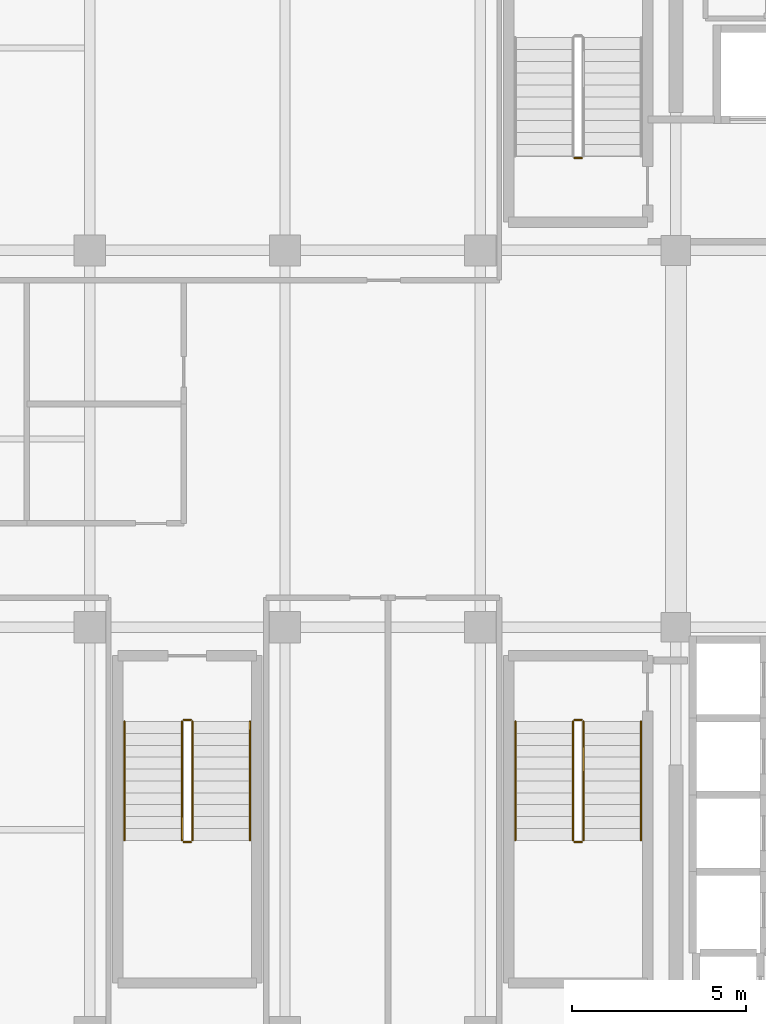
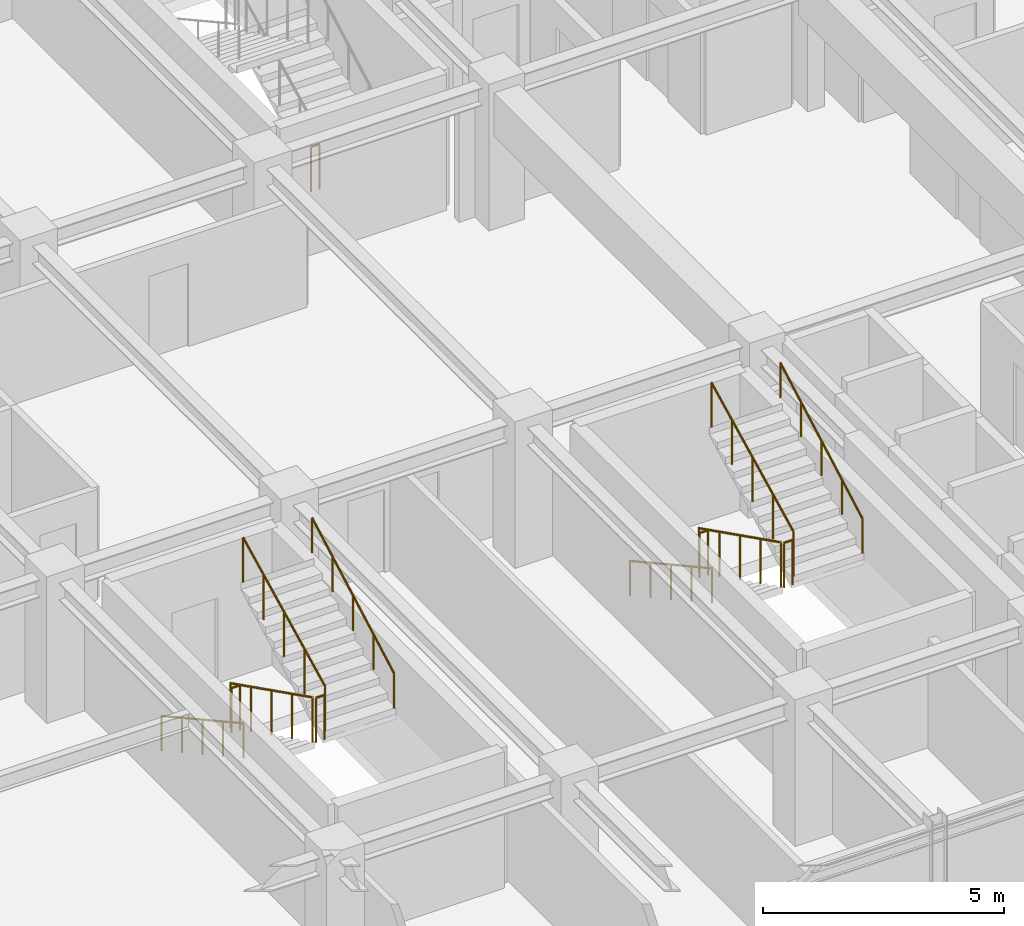
# One storey, part 28 of 31: 13 railings.
"""IFC4 building model written with IfcOpenShell, lengths in metres."""

import ifcopenshell
import ifcopenshell.guid

model = None  # the IFC model being written
_history = None  # IfcOwnerHistory: only IFC2X3 demands one
_inside = {}  # id of a spatial element -> (the spatial element, [elements in it])
_under = {}  # id of a project, library or spatial element -> (it, [spatial elements below it])
_declared = {}  # id of a project -> (the project, [libraries it declares])
_typed = {}  # id of a type object -> (the type object, [elements of that type])
_made_of = {}  # id of a material, layer set ... -> (it, [elements and type objects made of it])


def new_model(schema):
    """Start an empty IFC model of exactly this schema.

    Asked for "IFC4X3", IfcOpenShell would pick the latest addendum, in which some entities
    have other attributes; the version numbers below select the first issue.
    IFC2X3 requires an IfcOwnerHistory on every rooted entity: one is made here for all.
    """
    global model, _history
    if schema == "IFC4X3":
        model = ifcopenshell.file(schema_version=(4, 3, 0, 0))
    else:
        model = ifcopenshell.file(schema=schema)
    _inside.clear()
    _under.clear()
    _declared.clear()
    _typed.clear()
    _made_of.clear()
    _history = None
    if model.schema == "IFC2X3":
        org = make("IfcOrganization", Name="unknown")
        user = make(
            "IfcPersonAndOrganization",
            ThePerson=make("IfcPerson", FamilyName="unknown"),
            TheOrganization=org,
        )
        app = make(
            "IfcApplication",
            ApplicationDeveloper=org,
            Version="unknown",
            ApplicationFullName="unknown",
            ApplicationIdentifier="unknown",
        )
        _history = make(
            "IfcOwnerHistory",
            OwningUser=user,
            OwningApplication=app,
            ChangeAction="ADDED",
            CreationDate=0,
        )
    return model


def make(cls, **values):
    """One entity of the class cls with the attributes given. An attribute that is None is left unset."""
    return model.create_entity(
        cls, **{name: value for name, value in values.items() if value is not None}
    )


def rooted(cls, **values):
    """An entity with a GlobalId (a new one), such as an element, a storey or a relation."""
    return make(cls, GlobalId=ifcopenshell.guid.new(), OwnerHistory=_history, **values)


def si_unit(unit_type, name, prefix=None):
    """IfcSIUnit, for example si_unit("LENGTHUNIT", "METRE", prefix="MILLI")."""
    return make("IfcSIUnit", UnitType=unit_type, Prefix=prefix, Name=name)


def assignment(units):
    """IfcUnitAssignment: the units of a project."""
    return None if units is None else make("IfcUnitAssignment", Units=units)


def point(xyz):
    """IfcCartesianPoint."""
    return None if xyz is None else make("IfcCartesianPoint", Coordinates=xyz)


def direction(xyz):
    """IfcDirection."""
    return None if xyz is None else make("IfcDirection", DirectionRatios=xyz)


def frame(location, z_axis=None, x_axis=None):
    """IfcAxis2Placement3D, a coordinate frame: its origin and axes. An axis left out is left unset."""
    return make(
        "IfcAxis2Placement3D",
        Location=point(location),
        Axis=direction(z_axis),
        RefDirection=direction(x_axis),
    )


def frame_2d(location, x_axis=None):
    """IfcAxis2Placement2D, a coordinate frame in the plane: its origin and x axis."""
    return make(
        "IfcAxis2Placement2D", Location=point(location), RefDirection=direction(x_axis)
    )


def origin():
    """The frame at (0, 0, 0) with its axes left unset."""
    return frame((0.0, 0.0, 0.0))


def origin_2d():
    """The frame at (0, 0) in the plane with its x axis left unset."""
    return frame_2d((0.0, 0.0))


def place(relative_to, where):
    """IfcLocalPlacement: puts the frame where relative to a parent placement (None: the world)."""
    return make(
        "IfcLocalPlacement", PlacementRelTo=relative_to, RelativePlacement=where
    )


def context(
    kind, dimensions, precision=None, world=None, true_north=None, identifier=None
):
    """IfcGeometricRepresentationContext, for example the 3D "Model" context."""
    return make(
        "IfcGeometricRepresentationContext",
        ContextIdentifier=identifier,
        ContextType=kind,
        CoordinateSpaceDimension=dimensions,
        Precision=precision,
        WorldCoordinateSystem=world,
        TrueNorth=true_north,
    )


def subcontext(parent, identifier, kind, view, scale=None):
    """IfcGeometricRepresentationSubContext, for example "Body" below "Model"."""
    return make(
        "IfcGeometricRepresentationSubContext",
        ContextIdentifier=identifier,
        ContextType=kind,
        ParentContext=parent,
        TargetScale=scale,
        TargetView=view,
    )


def project(units=None, contexts=None):
    """IfcProject with its units and contexts."""
    return rooted(
        "IfcProject",
        Name="project",
        RepresentationContexts=contexts,
        UnitsInContext=assignment(units),
    )


def spatial(cls, under=None, at=None, **own):
    """A site, building, storey or space (cls), placed at a placement, below another one or the project."""
    s = rooted(cls, ObjectPlacement=at, **own)
    if under is not None:
        _under.setdefault(under.id(), (under, []))[1].append(s)
    return s


def profile(cls, at=None, kind="AREA", **sizes):
    """A parametric profile (cls). Its sizes go by their IFC names, for example OverallWidth=200.0."""
    return make(cls, ProfileType=kind, Position=at, **sizes)


def circle(**sizes):
    """IfcCircleProfileDef."""
    return profile("IfcCircleProfileDef", **sizes)


def extrude(swept, where, along, depth):
    """IfcExtrudedAreaSolid: the profile swept, set in the frame where, extruded along a direction by depth."""
    return make(
        "IfcExtrudedAreaSolid",
        SweptArea=swept,
        Position=where,
        ExtrudedDirection=direction(along),
        Depth=depth,
    )


def shape(context_of_items, identifier, shape_type, items):
    """IfcShapeRepresentation: the items that make up one representation, for example the "Body"."""
    return make(
        "IfcShapeRepresentation",
        ContextOfItems=context_of_items,
        RepresentationIdentifier=identifier,
        RepresentationType=shape_type,
        Items=items,
    )


def material(Name=None, Category=None):
    """IfcMaterial."""
    return make("IfcMaterial", Name=Name, Category=Category)


def made_of(thing, what):
    """Note that an element or type object is made of a material, layer set ...; save() writes the relation."""
    if what is not None:
        _made_of.setdefault(what.id(), (what, []))[1].append(thing)
    return thing


def type_object(cls, material=None, **own):
    """A type object (cls), such as IfcWallType, which elements share."""
    return made_of(rooted(cls, **own), material)


def element(
    cls,
    number,
    at=None,
    inside=None,
    cuts=None,
    type_object=None,
    material=None,
    context=None,
    identifier="Body",
    shape_type=None,
    held_by="IfcProductDefinitionShape",
    body=None,
    shapes=None,
    **own,
):
    """One element of the class cls, such as IfcWall. Its Tag is "e" and its number.

    at: its placement. inside: the storey or other place that contains it. cuts: it is an
    opening in that element (IfcRelVoidsElement). A single representation is given by context,
    identifier, shape_type and body (its items); several are given by shapes. held_by: the class
    of the entity that holds the representations. save() writes the other relations.
    """
    e = rooted(cls, Tag="e%d" % number, ObjectPlacement=at, **own)
    if body is not None:
        shapes = [shape(context, identifier, shape_type, body)]
    if shapes is not None:
        e.Representation = make(held_by, Representations=shapes)
    if inside is not None:
        _inside.setdefault(inside.id(), (inside, []))[1].append(e)
    if cuts is not None:
        rooted(
            "IfcRelVoidsElement", RelatingBuildingElement=cuts, RelatedOpeningElement=e
        )
    if type_object is not None:
        _typed.setdefault(type_object.id(), (type_object, []))[1].append(e)
    return made_of(e, material)


def aggregate(whole, parts):
    """IfcRelAggregates: a whole, such as a stair, and the parts it consists of."""
    return rooted("IfcRelAggregates", RelatingObject=whole, RelatedObjects=parts)


def save(model, path):
    """Write the relations noted so far, then the file.

    IfcRelAggregates (storeys below a building ...), IfcRelContainedInSpatialStructure (elements
    in a storey), IfcRelDefinesByType, IfcRelAssociatesMaterial and IfcRelDeclares: one each for
    every whole, place, type object, material and project.
    """
    for whole, parts in _under.values():
        aggregate(whole, parts)
    for where, things in _inside.values():
        rooted(
            "IfcRelContainedInSpatialStructure",
            RelatedElements=things,
            RelatingStructure=where,
        )
    for kind, things in _typed.values():
        rooted("IfcRelDefinesByType", RelatedObjects=things, RelatingType=kind)
    for what, things in _made_of.values():
        rooted("IfcRelAssociatesMaterial", RelatedObjects=things, RelatingMaterial=what)
    for by, libraries in _declared.values():
        rooted("IfcRelDeclares", RelatingContext=by, RelatedDefinitions=libraries)
    model.write(path)


model = new_model("IFC4")

# Units and contexts
model_context = context("Model", 3, precision=1e-05, world=origin(), true_north=direction((0.0, 1.0)))
body_context = subcontext(model_context, "Body", "Model", "MODEL_VIEW")
ifc_project = project(units=[si_unit("LENGTHUNIT", "METRE"), si_unit("AREAUNIT", "SQUARE_METRE"), si_unit("VOLUMEUNIT", "CUBIC_METRE"), si_unit("PLANEANGLEUNIT", "RADIAN"), si_unit("MASSUNIT", "GRAM", prefix="KILO")], contexts=[model_context])

# Site, building, storey
site_placement = place(None, origin())
site = spatial("IfcSite", under=ifc_project, at=site_placement, CompositionType="ELEMENT")
building_placement = place(site_placement, origin())
building = spatial("IfcBuilding", under=site, at=building_placement, Name="Nahalor Promenade Grand Hotel", CompositionType="ELEMENT")
storey_placement = place(building_placement, frame((0.0, 0.0, 281.300048828125)))
storey = spatial("IfcBuildingStorey", under=building, at=storey_placement, Name="L72", CompositionType="ELEMENT", Elevation=281.300048828125)

# Railings
ifc_material = material(Name="Steel S355JR", Category="steel")
railing_type_1 = type_object("IfcRailingType", Name="Steel Stair Guardrail 1150 mm", PredefinedType="GUARDRAIL", material=ifc_material)
railing_1_placement = place(storey_placement, frame((5.699951171875, 8.050048828125, 0.0)))
element("IfcRailing", 1, at=railing_1_placement, inside=storey, type_object=railing_type_1, Name="L72 ST1 stair guard 4", PredefinedType="GUARDRAIL", context=body_context, shape_type="SweptSolid", body=[
    extrude(circle(Radius=0.024048, at=origin_2d()), frame((0.0, 0.0, 1.1259765625), z_axis=(-1.0, 0.0, 0.0), x_axis=(0.0, -1.0, 0.0)), (0.0, 0.0, 1.0), 0.199951171875),
    extrude(circle(Radius=0.020996, at=origin_2d()), origin(), (0.0, 0.0, 1.0), 1.099853515625),
    extrude(circle(Radius=0.020996, at=origin_2d()), frame((-0.199951171875, 0.0, 0.0)), (0.0, 0.0, 1.0), 1.099853515625),
])
railing_2_placement = place(storey_placement, frame((5.449951171875, -8.10009765625, 0.17041015625)))
element("IfcRailing", 2, at=railing_2_placement, inside=storey, type_object=railing_type_1, Name="L72 ST2 stair guard 1", PredefinedType="GUARDRAIL", context=body_context, shape_type="SweptSolid", body=[
    extrude(circle(Radius=0.024048, at=origin_2d()), frame((0.0, 0.0, 1.1259765625), z_axis=(0.0, -0.89393879905, 0.448189048899), x_axis=(1.0, 0.0, 0.0)), (0.0, 0.0, 1.0), 3.80322265625),
    extrude(circle(Radius=0.020996, at=origin_2d()), origin(), (0.0, 0.0, 1.0), 1.099853515625),
    extrude(circle(Radius=0.020996, at=origin_2d()), frame((0.0, -0.85009765625, 0.42626953125)), (0.0, 0.0, 1.0), 1.099853515625),
    extrude(circle(Radius=0.020996, at=origin_2d()), frame((0.0, -1.699951171875, 0.852294921875)), (0.0, 0.0, 1.0), 1.099853515625),
    extrude(circle(Radius=0.020996, at=origin_2d()), frame((0.0, -2.5498046875, 1.2783203125)), (0.0, 0.0, 1.0), 1.099853515625),
    extrude(circle(Radius=0.020996, at=origin_2d()), frame((0.0, -3.39990234375, 1.70458984375)), (0.0, 0.0, 1.0), 1.099853515625),
])
railing_3_placement = place(storey_placement, frame((5.5, -11.550048828125, 1.875)))
element("IfcRailing", 3, at=railing_3_placement, inside=storey, type_object=railing_type_1, Name="L72 ST2 stair guard 2", PredefinedType="GUARDRAIL", context=body_context, shape_type="SweptSolid", body=[
    extrude(circle(Radius=0.024048, at=origin_2d()), frame((0.0, 0.0, 1.1259765625), z_axis=(1.0, 0.0, 0.0), x_axis=(0.0, 1.0, 0.0)), (0.0, 0.0, 1.0), 0.199951171875),
    extrude(circle(Radius=0.020996, at=origin_2d()), origin(), (0.0, 0.0, 1.0), 1.099853515625),
    extrude(circle(Radius=0.020996, at=origin_2d()), frame((0.199951171875, 0.0, 0.0)), (0.0, 0.0, 1.0), 1.099853515625),
])
railing_4_placement = place(storey_placement, frame((5.75, -11.5, 2.04541015625)))
element("IfcRailing", 4, at=railing_4_placement, inside=storey, type_object=railing_type_1, Name="L72 ST2 stair guard 3", PredefinedType="GUARDRAIL", context=body_context, shape_type="SweptSolid", body=[
    extrude(circle(Radius=0.024048, at=origin_2d()), frame((0.0, 0.0, 1.1259765625), z_axis=(0.0, 0.89393879905, 0.448189048899), x_axis=(-1.0, 0.0, 0.0)), (0.0, 0.0, 1.0), 3.80322265625),
    extrude(circle(Radius=0.020996, at=origin_2d()), origin(), (0.0, 0.0, 1.0), 1.099853515625),
    extrude(circle(Radius=0.020996, at=origin_2d()), frame((0.0, 0.85009765625, 0.42626953125)), (0.0, 0.0, 1.0), 1.099853515625),
    extrude(circle(Radius=0.020996, at=origin_2d()), frame((0.0, 1.699951171875, 0.852294921875)), (0.0, 0.0, 1.0), 1.099853515625),
    extrude(circle(Radius=0.020996, at=origin_2d()), frame((0.0, 2.5498046875, 1.2783203125)), (0.0, 0.0, 1.0), 1.099853515625),
    extrude(circle(Radius=0.020996, at=origin_2d()), frame((0.0, 3.39990234375, 1.70458984375)), (0.0, 0.0, 1.0), 1.099853515625),
])
railing_5_placement = place(storey_placement, frame((5.5, -8.050048828125, 0.0)))
element("IfcRailing", 5, at=railing_5_placement, inside=storey, type_object=railing_type_1, Name="L72 ST2 stair guard 4", PredefinedType="GUARDRAIL", context=body_context, shape_type="SweptSolid", body=[
    extrude(circle(Radius=0.024048, at=origin_2d()), frame((0.0, 0.0, 1.1259765625), z_axis=(1.0, 0.0, 0.0), x_axis=(0.0, 1.0, 0.0)), (0.0, 0.0, 1.0), 0.199951171875),
    extrude(circle(Radius=0.020996, at=origin_2d()), origin(), (0.0, 0.0, 1.0), 1.099853515625),
    extrude(circle(Radius=0.020996, at=origin_2d()), frame((0.199951171875, 0.0, 0.0)), (0.0, 0.0, 1.0), 1.099853515625),
])
railing_6_placement = place(storey_placement, frame((-5.75, -8.10009765625, 0.17041015625)))
element("IfcRailing", 6, at=railing_6_placement, inside=storey, type_object=railing_type_1, Name="L72 ST3 stair guard 1", PredefinedType="GUARDRAIL", context=body_context, shape_type="SweptSolid", body=[
    extrude(circle(Radius=0.024048, at=origin_2d()), frame((0.0, 0.0, 1.1259765625), z_axis=(0.0, -0.89393879905, 0.448189048899), x_axis=(1.0, 0.0, 0.0)), (0.0, 0.0, 1.0), 3.80322265625),
    extrude(circle(Radius=0.020996, at=origin_2d()), origin(), (0.0, 0.0, 1.0), 1.099853515625),
    extrude(circle(Radius=0.020996, at=origin_2d()), frame((0.0, -0.85009765625, 0.42626953125)), (0.0, 0.0, 1.0), 1.099853515625),
    extrude(circle(Radius=0.020996, at=origin_2d()), frame((0.0, -1.699951171875, 0.852294921875)), (0.0, 0.0, 1.0), 1.099853515625),
    extrude(circle(Radius=0.020996, at=origin_2d()), frame((0.0, -2.5498046875, 1.2783203125)), (0.0, 0.0, 1.0), 1.099853515625),
    extrude(circle(Radius=0.020996, at=origin_2d()), frame((0.0, -3.39990234375, 1.70458984375)), (0.0, 0.0, 1.0), 1.099853515625),
])
railing_7_placement = place(storey_placement, frame((-5.699951171875, -11.550048828125, 1.875)))
element("IfcRailing", 7, at=railing_7_placement, inside=storey, type_object=railing_type_1, Name="L72 ST3 stair guard 2", PredefinedType="GUARDRAIL", context=body_context, shape_type="SweptSolid", body=[
    extrude(circle(Radius=0.024048, at=origin_2d()), frame((0.0, 0.0, 1.1259765625), z_axis=(1.0, 0.0, 0.0), x_axis=(0.0, 1.0, 0.0)), (0.0, 0.0, 1.0), 0.199951171875),
    extrude(circle(Radius=0.020996, at=origin_2d()), origin(), (0.0, 0.0, 1.0), 1.099853515625),
    extrude(circle(Radius=0.020996, at=origin_2d()), frame((0.199951171875, 0.0, 0.0)), (0.0, 0.0, 1.0), 1.099853515625),
])
railing_8_placement = place(storey_placement, frame((-5.449951171875, -11.5, 2.04541015625)))
element("IfcRailing", 8, at=railing_8_placement, inside=storey, type_object=railing_type_1, Name="L72 ST3 stair guard 3", PredefinedType="GUARDRAIL", context=body_context, shape_type="SweptSolid", body=[
    extrude(circle(Radius=0.024048, at=origin_2d()), frame((0.0, 0.0, 1.1259765625), z_axis=(0.0, 0.89393879905, 0.448189048899), x_axis=(-1.0, 0.0, 0.0)), (0.0, 0.0, 1.0), 3.80322265625),
    extrude(circle(Radius=0.020996, at=origin_2d()), origin(), (0.0, 0.0, 1.0), 1.099853515625),
    extrude(circle(Radius=0.020996, at=origin_2d()), frame((0.0, 0.85009765625, 0.42626953125)), (0.0, 0.0, 1.0), 1.099853515625),
    extrude(circle(Radius=0.020996, at=origin_2d()), frame((0.0, 1.699951171875, 0.852294921875)), (0.0, 0.0, 1.0), 1.099853515625),
    extrude(circle(Radius=0.020996, at=origin_2d()), frame((0.0, 2.5498046875, 1.2783203125)), (0.0, 0.0, 1.0), 1.099853515625),
    extrude(circle(Radius=0.020996, at=origin_2d()), frame((0.0, 3.39990234375, 1.70458984375)), (0.0, 0.0, 1.0), 1.099853515625),
])
railing_9_placement = place(storey_placement, frame((-5.699951171875, -8.050048828125, 0.0)))
element("IfcRailing", 9, at=railing_9_placement, inside=storey, type_object=railing_type_1, Name="L72 ST3 stair guard 4", PredefinedType="GUARDRAIL", context=body_context, shape_type="SweptSolid", body=[
    extrude(circle(Radius=0.024048, at=origin_2d()), frame((0.0, 0.0, 1.1259765625), z_axis=(1.0, 0.0, 0.0), x_axis=(0.0, 1.0, 0.0)), (0.0, 0.0, 1.0), 0.199951171875),
    extrude(circle(Radius=0.020996, at=origin_2d()), origin(), (0.0, 0.0, 1.0), 1.099853515625),
    extrude(circle(Radius=0.020996, at=origin_2d()), frame((0.199951171875, 0.0, 0.0)), (0.0, 0.0, 1.0), 1.099853515625),
])
railing_type_2 = type_object("IfcRailingType", Name="Steel Stair Handrail 900 mm", PredefinedType="HANDRAIL", material=ifc_material)
railing_10_placement = place(storey_placement, frame((3.800048828125, -8.10009765625, 0.17041015625)))
element("IfcRailing", 10, at=railing_10_placement, inside=storey, type_object=railing_type_2, Name="L72 ST2 stair handrail 1", PredefinedType="HANDRAIL", context=body_context, shape_type="SweptSolid", body=[
    extrude(circle(Radius=0.024048, at=origin_2d()), frame((0.0, 0.0, 0.8759765625), z_axis=(0.0, -0.875665712831, 0.482917756322), x_axis=(1.0, 0.0, 0.0)), (0.0, 0.0, 1.0), 3.882568359375),
    extrude(circle(Radius=0.020996, at=origin_2d()), origin(), (0.0, 0.0, 1.0), 0.849853515625),
    extrude(circle(Radius=0.020996, at=origin_2d()), frame((0.0, -0.85009765625, 0.46875)), (0.0, 0.0, 1.0), 0.849853515625),
    extrude(circle(Radius=0.020996, at=origin_2d()), frame((0.0, -1.699951171875, 0.9375)), (0.0, 0.0, 1.0), 0.849853515625),
    extrude(circle(Radius=0.020996, at=origin_2d()), frame((0.0, -2.5498046875, 1.40625)), (0.0, 0.0, 1.0), 0.849853515625),
    extrude(circle(Radius=0.020996, at=origin_2d()), frame((0.0, -3.39990234375, 1.875)), (0.0, 0.0, 1.0), 0.849853515625),
])
railing_11_placement = place(storey_placement, frame((7.39990234375, -11.5, 2.04541015625)))
element("IfcRailing", 11, at=railing_11_placement, inside=storey, type_object=railing_type_2, Name="L72 ST2 stair handrail 2", PredefinedType="HANDRAIL", context=body_context, shape_type="SweptSolid", body=[
    extrude(circle(Radius=0.024048, at=origin_2d()), frame((0.0, 0.0, 0.8759765625), z_axis=(0.0, 0.875665712831, 0.482917756322), x_axis=(-1.0, 0.0, 0.0)), (0.0, 0.0, 1.0), 3.882568359375),
    extrude(circle(Radius=0.020996, at=origin_2d()), origin(), (0.0, 0.0, 1.0), 0.849853515625),
    extrude(circle(Radius=0.020996, at=origin_2d()), frame((0.0, 0.85009765625, 0.46875)), (0.0, 0.0, 1.0), 0.849853515625),
    extrude(circle(Radius=0.020996, at=origin_2d()), frame((0.0, 1.699951171875, 0.9375)), (0.0, 0.0, 1.0), 0.849853515625),
    extrude(circle(Radius=0.020996, at=origin_2d()), frame((0.0, 2.5498046875, 1.40625)), (0.0, 0.0, 1.0), 0.849853515625),
    extrude(circle(Radius=0.020996, at=origin_2d()), frame((0.0, 3.39990234375, 1.875)), (0.0, 0.0, 1.0), 0.849853515625),
])
railing_12_placement = place(storey_placement, frame((-7.39990234375, -8.10009765625, 0.17041015625)))
element("IfcRailing", 12, at=railing_12_placement, inside=storey, type_object=railing_type_2, Name="L72 ST3 stair handrail 1", PredefinedType="HANDRAIL", context=body_context, shape_type="SweptSolid", body=[
    extrude(circle(Radius=0.024048, at=origin_2d()), frame((0.0, 0.0, 0.8759765625), z_axis=(0.0, -0.875665712831, 0.482917756322), x_axis=(1.0, 0.0, 0.0)), (0.0, 0.0, 1.0), 3.882568359375),
    extrude(circle(Radius=0.020996, at=origin_2d()), origin(), (0.0, 0.0, 1.0), 0.849853515625),
    extrude(circle(Radius=0.020996, at=origin_2d()), frame((0.0, -0.85009765625, 0.46875)), (0.0, 0.0, 1.0), 0.849853515625),
    extrude(circle(Radius=0.020996, at=origin_2d()), frame((0.0, -1.699951171875, 0.9375)), (0.0, 0.0, 1.0), 0.849853515625),
    extrude(circle(Radius=0.020996, at=origin_2d()), frame((0.0, -2.5498046875, 1.40625)), (0.0, 0.0, 1.0), 0.849853515625),
    extrude(circle(Radius=0.020996, at=origin_2d()), frame((0.0, -3.39990234375, 1.875)), (0.0, 0.0, 1.0), 0.849853515625),
])
railing_13_placement = place(storey_placement, frame((-3.800048828125, -11.5, 2.04541015625)))
element("IfcRailing", 13, at=railing_13_placement, inside=storey, type_object=railing_type_2, Name="L72 ST3 stair handrail 2", PredefinedType="HANDRAIL", context=body_context, shape_type="SweptSolid", body=[
    extrude(circle(Radius=0.024048, at=origin_2d()), frame((0.0, 0.0, 0.8759765625), z_axis=(0.0, 0.875665712831, 0.482917756322), x_axis=(-1.0, 0.0, 0.0)), (0.0, 0.0, 1.0), 3.882568359375),
    extrude(circle(Radius=0.020996, at=origin_2d()), origin(), (0.0, 0.0, 1.0), 0.849853515625),
    extrude(circle(Radius=0.020996, at=origin_2d()), frame((0.0, 0.85009765625, 0.46875)), (0.0, 0.0, 1.0), 0.849853515625),
    extrude(circle(Radius=0.020996, at=origin_2d()), frame((0.0, 1.699951171875, 0.9375)), (0.0, 0.0, 1.0), 0.849853515625),
    extrude(circle(Radius=0.020996, at=origin_2d()), frame((0.0, 2.5498046875, 1.40625)), (0.0, 0.0, 1.0), 0.849853515625),
    extrude(circle(Radius=0.020996, at=origin_2d()), frame((0.0, 3.39990234375, 1.875)), (0.0, 0.0, 1.0), 0.849853515625),
])

save(model, "model.ifc")
